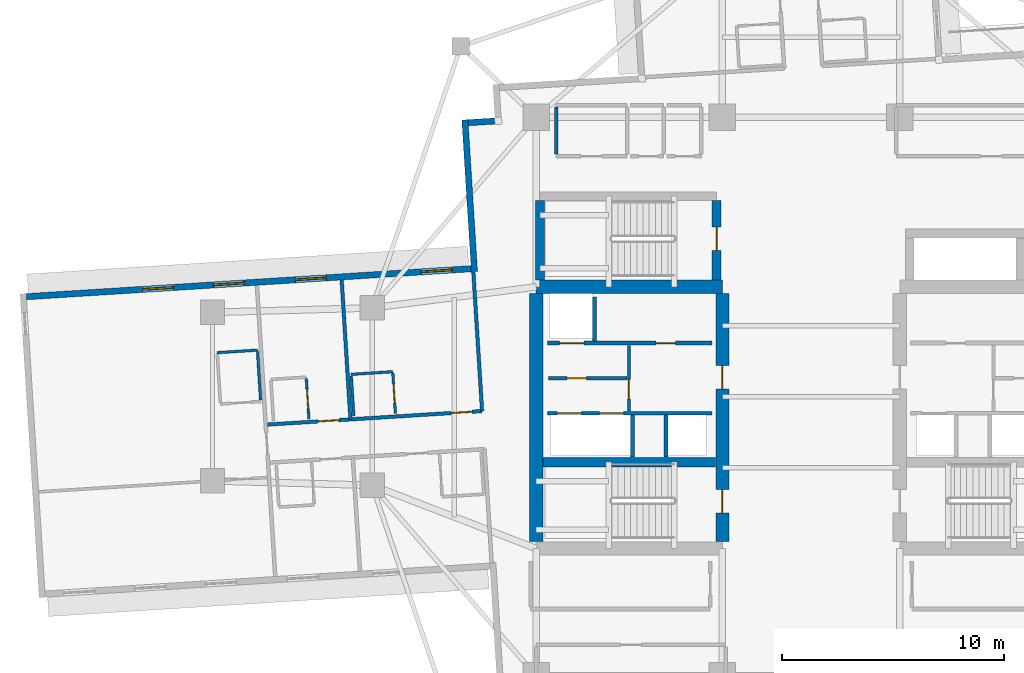
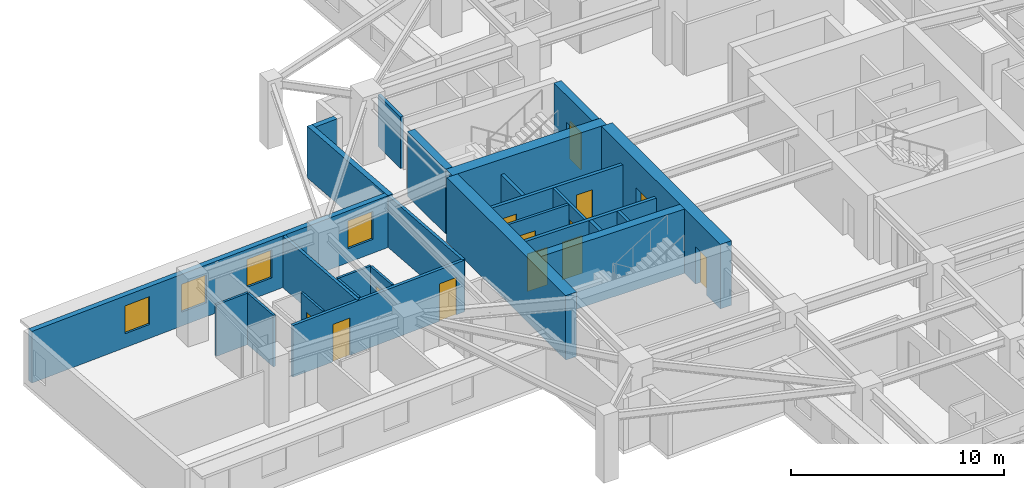
# One storey, part 5 of 14: 26 walls, 13 doors, 4 windows, 17 openings.
"""IFC4 building model written with IfcOpenShell, lengths in metres."""

from ifc_helpers import new_model, si_unit, direction, frame, frame_2d, origin, place, context, subcontext, project, spatial, rectangle, extrude, material, layer, layer_set, type_object, element, fill, save


model = new_model("IFC4")

# Units and contexts
model_context = context("Model", 3, precision=1e-05, world=origin(), true_north=direction((0.0, 1.0)))
body_context = subcontext(model_context, "Body", "Model", "MODEL_VIEW")
ifc_project = project(units=[si_unit("LENGTHUNIT", "METRE"), si_unit("AREAUNIT", "SQUARE_METRE"), si_unit("VOLUMEUNIT", "CUBIC_METRE"), si_unit("PLANEANGLEUNIT", "RADIAN"), si_unit("MASSUNIT", "GRAM", prefix="KILO")], contexts=[model_context])

# Site, building, storey
site_placement = place(None, origin())
site = spatial("IfcSite", under=ifc_project, at=site_placement, CompositionType="ELEMENT")
building_placement = place(site_placement, origin())
building = spatial("IfcBuilding", under=site, at=building_placement, Name="Qingluan Cross Belvedere", CompositionType="ELEMENT")
storey_placement = place(building_placement, frame((0.0, 0.0, 128.10009765625)))
storey = spatial("IfcBuildingStorey", under=building, at=storey_placement, Name="L32", CompositionType="ELEMENT", Elevation=128.10009765625)

# Walls
ifc_material_1 = material(Name="Concrete C50", Category="concrete")
ifc_layer_1 = layer(ifc_material_1, 0.449951171875, Name="CoreShearWall_450")
ifc_layer_set_1 = layer_set([ifc_layer_1], Name="Concrete C50")
wall_type_1 = type_object("IfcWallType", Name="CoreShearWall_450", PredefinedType="SHEAR", material=ifc_layer_set_1)
wall_1_placement = place(storey_placement, frame((-12.094970703125, -2.9599609375, 0.0), z_axis=(0.0, 0.0, 1.0), x_axis=(1.0, 0.0, 0.0)))
element("IfcWall", 1, at=wall_1_placement, inside=storey, type_object=wall_type_1, Name="Split core W shear wall L32-M", PredefinedType="SHEAR", context=body_context, shape_type="SweptSolid", body=[
    extrude(rectangle(XDim=7.7900390625, YDim=0.449951171875, at=frame_2d((3.89501953125, 0.0))), origin(), (0.0, 0.0, 1.0), 3.699951171875),
])
wall_2_placement = place(storey_placement, frame((-12.219970703125, 5.2548828125, 0.0), z_axis=(0.0, 0.0, 1.0), x_axis=(0.0, 1.0, 0.0)))
element("IfcWall", 2, at=wall_2_placement, inside=storey, type_object=wall_type_1, Name="Stair ST3 structural wall W L32", PredefinedType="SHEAR", context=body_context, shape_type="SweptSolid", body=[
    extrude(rectangle(XDim=3.580078125, YDim=0.39990234375, at=frame_2d((1.7900390625, 0.0))), origin(), (0.0, 0.0, 1.0), 3.699951171875),
])

# Wall, opening, door
wall_3_placement = place(storey_placement, frame((-4.260009765625, 5.2548828125, 0.0), z_axis=(0.0, 0.0, 1.0), x_axis=(0.0, 1.0, 0.0)))
wall_3 = element("IfcWall", 3, at=wall_3_placement, inside=storey, type_object=wall_type_1, Name="Stair ST3 structural wall E L32", PredefinedType="SHEAR", context=body_context, shape_type="SweptSolid", body=[
    extrude(rectangle(XDim=3.580078125, YDim=0.39990234375, at=frame_2d((1.7900390625, 0.0))), origin(), (0.0, 0.0, 1.0), 3.699951171875),
])
opening_1_placement = place(wall_3_placement, frame((1.344970703125, 0.0, 0.0)))
opening_1 = element("IfcOpeningElement", 4, at=opening_1_placement, cuts=wall_3, Name="Opening FD-B11", PredefinedType="OPENING", context=body_context, shape_type="SweptSolid", body=[
    extrude(rectangle(XDim=1.050048828125, YDim=2.14990234375, at=frame_2d((0.52490234375, 1.074951171875))), frame((0.0, 0.2099609375, 0.0), z_axis=(0.0, -1.0, 0.0), x_axis=(1.0, 0.0, 0.0)), (0.0, 0.0, 1.0), 0.419921875),
])
ifc_material_2 = material(Name="Steel Class B smoke-seal fire door", Category="steel")
door_type_1 = type_object("IfcDoorType", Name="StairLobbyFireDoor_FDB", OperationType="NOTDEFINED", PredefinedType="DOOR", material=ifc_material_2)
door_1_placement = place(opening_1_placement, origin())
door_1 = element("IfcDoor", 5, at=door_1_placement, inside=storey, type_object=door_type_1, Name="Smoke-proof stair ST3 fire door L32", OperationType="SINGLE_SWING_RIGHT", OverallHeight=2.14990234375, OverallWidth=1.050048828125, PredefinedType="DOOR", context=body_context, shape_type="SweptSolid", body=[
    extrude(rectangle(XDim=1.050048828125, YDim=2.14990234375, at=frame_2d((0.52490234375, 1.074951171875))), frame((0.0, 0.02490234375, 0.0), z_axis=(0.0, -1.0, 0.0), x_axis=(1.0, 0.0, 0.0)), (0.0, 0.0, 1.0), 0.050048828125),
])
fill(opening_1, door_1)

# Walls
ifc_material_3 = material(Name="Concrete C60", Category="concrete")
ifc_layer_2 = layer(ifc_material_3, 0.60009765625, Name="CoreShearWall_600")
ifc_layer_set_2 = layer_set([ifc_layer_2], Name="Concrete C60")
wall_type_2 = type_object("IfcWallType", Name="CoreShearWall_600", PredefinedType="SHEAR", material=ifc_layer_set_2)
wall_4_placement = place(storey_placement, frame((-12.39990234375, 4.949951171875, 0.0), z_axis=(0.0, 0.0, 1.0), x_axis=(1.0, 0.0, 0.0)))
element("IfcWall", 6, at=wall_4_placement, inside=storey, type_object=wall_type_2, Name="Split core W shear wall L32-N", PredefinedType="SHEAR", context=body_context, shape_type="SweptSolid", body=[
    extrude(rectangle(XDim=8.39990234375, YDim=0.60009765625, at=frame_2d((4.199951171875, 0.0))), origin(), (0.0, 0.0, 1.0), 3.699951171875),
])
wall_5_placement = place(storey_placement, frame((-12.39990234375, -6.544921875, 0.0), z_axis=(0.0, 0.0, 1.0), x_axis=(0.0, 1.0, 0.0)))
element("IfcWall", 7, at=wall_5_placement, inside=storey, type_object=wall_type_2, Name="Split core W shear wall L32-W", PredefinedType="SHEAR", context=body_context, shape_type="SweptSolid", body=[
    extrude(rectangle(XDim=11.18994140625, YDim=0.60009765625, at=frame_2d((5.594970703125, 0.0))), origin(), (0.0, 0.0, 1.0), 3.699951171875),
])

# Wall, openings, doors
wall_6_placement = place(storey_placement, frame((-4.0, -6.544921875, 0.0), z_axis=(0.0, 0.0, 1.0), x_axis=(0.0, 1.0, 0.0)))
wall_6 = element("IfcWall", 8, at=wall_6_placement, inside=storey, type_object=wall_type_2, Name="Split core W shear wall L32-E", PredefinedType="SHEAR", context=body_context, shape_type="SweptSolid", body=[
    extrude(rectangle(XDim=11.18994140625, YDim=0.60009765625, at=frame_2d((5.594970703125, 0.0))), origin(), (0.0, 0.0, 1.0), 3.699951171875),
])
opening_2_placement = place(wall_6_placement, frame((1.294921875, 0.0, 0.0)))
opening_2 = element("IfcOpeningElement", 9, at=opening_2_placement, cuts=wall_6, Name="Opening FD-B11", PredefinedType="OPENING", context=body_context, shape_type="SweptSolid", body=[
    extrude(rectangle(XDim=1.050048828125, YDim=2.14990234375, at=frame_2d((0.52490234375, 1.074951171875))), frame((0.0, 0.31005859375, 0.0), z_axis=(0.0, -1.0, 0.0), x_axis=(1.0, 0.0, 0.0)), (0.0, 0.0, 1.0), 0.6201171875),
])
opening_3_placement = place(wall_6_placement, frame((6.89501953125, 0.0, 0.0)))
opening_3 = element("IfcOpeningElement", 10, at=opening_3_placement, cuts=wall_6, Name="Opening FD-B11", PredefinedType="OPENING", context=body_context, shape_type="SweptSolid", body=[
    extrude(rectangle(XDim=1.050048828125, YDim=2.14990234375, at=frame_2d((0.52490234375, 1.074951171875))), frame((0.0, 0.31005859375, 0.0), z_axis=(0.0, -1.0, 0.0), x_axis=(1.0, 0.0, 0.0)), (0.0, 0.0, 1.0), 0.6201171875),
])
door_2_placement = place(opening_2_placement, origin())
door_2 = element("IfcDoor", 11, at=door_2_placement, inside=storey, type_object=door_type_1, Name="Smoke-proof stair ST1 fire door L32", OperationType="SINGLE_SWING_RIGHT", OverallHeight=2.14990234375, OverallWidth=1.050048828125, PredefinedType="DOOR", context=body_context, shape_type="SweptSolid", body=[
    extrude(rectangle(XDim=1.050048828125, YDim=2.14990234375, at=frame_2d((0.52490234375, 1.074951171875))), frame((0.0, 0.02490234375, 0.0), z_axis=(0.0, -1.0, 0.0), x_axis=(1.0, 0.0, 0.0)), (0.0, 0.0, 1.0), 0.050048828125),
])
fill(opening_2, door_2)
door_3_placement = place(opening_3_placement, origin())
door_3 = element("IfcDoor", 12, at=door_3_placement, inside=storey, type_object=door_type_1, Name="Firefighting lobby West fire door L32", OperationType="SINGLE_SWING_RIGHT", OverallHeight=2.14990234375, OverallWidth=1.050048828125, PredefinedType="DOOR", context=body_context, shape_type="SweptSolid", body=[
    extrude(rectangle(XDim=1.050048828125, YDim=2.14990234375, at=frame_2d((0.52490234375, 1.074951171875))), frame((0.0, 0.02490234375, 0.0), z_axis=(0.0, -1.0, 0.0), x_axis=(1.0, 0.0, 0.0)), (0.0, 0.0, 1.0), 0.050048828125),
])
fill(opening_3, door_3)

# Wall, opening, door
ifc_material_4 = material(Name="Gypsum plasterboard on steel stud acoustic partition", Category="steel")
ifc_layer_3 = layer(ifc_material_4, 0.159912109375, Name="CorridorPartition_160")
ifc_layer_set_3 = layer_set([ifc_layer_3], Name="Gypsum plasterboard on steel stud acoustic partition")
wall_type_3 = type_object("IfcWallType", Name="CorridorPartition_160", PredefinedType="PARTITIONING", material=ifc_layer_set_3)
wall_7_placement = place(storey_placement, frame((-11.85009765625, 0.830078125, 0.0), z_axis=(0.0, 0.0, 1.0), x_axis=(1.0, 0.0, 0.0)))
wall_7 = element("IfcWall", 13, at=wall_7_placement, inside=storey, type_object=wall_type_3, Name="Partition L32:w", PredefinedType="PARTITIONING", context=body_context, shape_type="SweptSolid", body=[
    extrude(rectangle(XDim=3.552001953125, YDim=0.139892578125, at=frame_2d((1.77587890625, 0.0))), origin(), (0.0, 0.0, 1.0), 2.9599609375),
])
opening_4_placement = place(wall_7_placement, frame((0.85009765625, 0.0, 0.0)))
opening_4 = element("IfcOpeningElement", 14, at=opening_4_placement, cuts=wall_7, Name="Opening FD-B10", PredefinedType="OPENING", context=body_context, shape_type="SweptSolid", body=[
    extrude(rectangle(XDim=0.8798828125, YDim=2.10009765625, at=frame_2d((0.43994140625, 1.050048828125))), frame((0.0, 0.079833984375, 0.0), z_axis=(0.0, -1.0, 0.0), x_axis=(1.0, 0.0, 0.0)), (0.0, 0.0, 1.0), 0.159912109375),
])
ifc_material_5 = material(Name="Steel Class B service fire door", Category="steel")
door_type_2 = type_object("IfcDoorType", Name="RiserServiceFireDoor_FDB", OperationType="NOTDEFINED", PredefinedType="DOOR", material=ifc_material_5)
door_4_placement = place(opening_4_placement, origin())
door_4 = element("IfcDoor", 15, at=door_4_placement, inside=storey, type_object=door_type_2, Name="Service closet inner door L32", OperationType="SINGLE_SWING_LEFT", OverallHeight=2.10009765625, OverallWidth=0.8798828125, PredefinedType="DOOR", context=body_context, shape_type="SweptSolid", body=[
    extrude(rectangle(XDim=0.8798828125, YDim=2.10009765625, at=frame_2d((0.43994140625, 1.050048828125))), frame((0.0, 0.02490234375, 0.0), z_axis=(0.0, -1.0, 0.0), x_axis=(1.0, 0.0, 0.0)), (0.0, 0.0, 1.0), 0.050048828125),
])
fill(opening_4, door_4)

# Wall
wall_8_placement = place(storey_placement, frame((-11.5, 10.93505859375, 0.0), z_axis=(0.0, 0.0, 1.0), x_axis=(0.0, 1.0, 0.0)))
element("IfcWall", 16, at=wall_8_placement, inside=storey, type_object=wall_type_3, Name="Partition L32:q_nw_occ:W", PredefinedType="PARTITIONING", context=body_context, shape_type="SweptSolid", body=[
    extrude(rectangle(XDim=2.1298828125, YDim=0.159912109375, at=frame_2d((1.06494140625, 0.0))), origin(), (0.0, 0.0, 1.0), 2.9599609375),
])

# Wall, openings, doors
wall_9_placement = place(storey_placement, frame((-14.83837890625, -0.653076171875, 0.0), z_axis=(0.0, 0.0, 1.0), x_axis=(-0.9980262432, -0.062798231534, 0.0)))
wall_9 = element("IfcWall", 17, at=wall_9_placement, inside=storey, type_object=wall_type_3, Name="Partition L32:W:c0", PredefinedType="PARTITIONING", context=body_context, shape_type="SweptSolid", body=[
    extrude(rectangle(XDim=9.69970703125, YDim=0.159912109375, at=frame_2d((4.849853515625, 0.0))), origin(), (0.0, 0.0, 1.0), 2.9599609375),
])
opening_5_placement = place(wall_9_placement, frame((0.449951171875, 0.0, 0.0)))
opening_5 = element("IfcOpeningElement", 18, at=opening_5_placement, cuts=wall_9, Name="Opening GD-10", PredefinedType="OPENING", context=body_context, shape_type="SweptSolid", body=[
    extrude(rectangle(XDim=0.9599609375, YDim=2.14990234375, at=frame_2d((0.47998046875, 1.074951171875))), frame((0.0, 0.08984375, 0.0), z_axis=(0.0, -1.0, 0.0), x_axis=(1.0, 0.0, 0.0)), (0.0, 0.0, 1.0), 0.179931640625),
])
opening_6_placement = place(wall_9_placement, frame((6.467041015625, 0.0, 0.0)))
opening_6 = element("IfcOpeningElement", 19, at=opening_6_placement, cuts=wall_9, Name="Opening GD-10", PredefinedType="OPENING", context=body_context, shape_type="SweptSolid", body=[
    extrude(rectangle(XDim=0.9599609375, YDim=2.14990234375, at=frame_2d((0.47998046875, 1.074951171875))), frame((0.0, 0.08984375, 0.0), z_axis=(0.0, -1.0, 0.0), x_axis=(1.0, 0.0, 0.0)), (0.0, 0.0, 1.0), 0.179931640625),
])
ifc_material_6 = material(Name="Timber oak fire-rated acoustic guestroom door", Category="wood")
door_type_3 = type_object("IfcDoorType", Name="GuestEntryDoor_FD60", OperationType="NOTDEFINED", PredefinedType="DOOR", material=ifc_material_6)
door_5_placement = place(opening_5_placement, origin())
door_5 = element("IfcDoor", 20, at=door_5_placement, inside=storey, type_object=door_type_3, Name="Guest entry fire door 3207", OperationType="SINGLE_SWING_RIGHT", OverallHeight=2.14990234375, OverallWidth=0.9599609375, PredefinedType="DOOR", context=body_context, shape_type="SweptSolid", body=[
    extrude(rectangle(XDim=0.9599609375, YDim=2.14990234375, at=frame_2d((0.47998046875, 1.074951171875))), frame((0.0, 0.02490234375, 0.0), z_axis=(0.0, -1.0, 0.0), x_axis=(1.0, 0.0, 0.0)), (0.0, 0.0, 1.0), 0.050048828125),
])
fill(opening_5, door_5)
door_6_placement = place(opening_6_placement, origin())
door_6 = element("IfcDoor", 21, at=door_6_placement, inside=storey, type_object=door_type_3, Name="Guest entry fire door 3208", OperationType="SINGLE_SWING_RIGHT", OverallHeight=2.14990234375, OverallWidth=0.9599609375, PredefinedType="DOOR", context=body_context, shape_type="SweptSolid", body=[
    extrude(rectangle(XDim=0.9599609375, YDim=2.14990234375, at=frame_2d((0.47998046875, 1.074951171875))), frame((0.0, 0.02490234375, 0.0), z_axis=(0.0, -1.0, 0.0), x_axis=(1.0, 0.0, 0.0)), (0.0, 0.0, 1.0), 0.050048828125),
])
fill(opening_6, door_6)

# Walls
wall_10_placement = place(storey_placement, frame((-14.83837890625, -0.653076171875, 0.0), z_axis=(0.0, 0.0, 1.0), x_axis=(-0.062779270337, 0.998027436104, 0.0)))
element("IfcWall", 22, at=wall_10_placement, inside=storey, type_object=wall_type_3, Name="Partition L32:W:s0", PredefinedType="PARTITIONING", context=body_context, shape_type="SweptSolid", body=[
    extrude(rectangle(XDim=6.292236328125, YDim=0.159912109375, at=frame_2d((3.14599609375, 0.0))), origin(), (0.0, 0.0, 1.0), 2.9599609375),
])
wall_11_placement = place(storey_placement, frame((-20.776611328125, -1.026611328125, 0.0), z_axis=(0.0, 0.0, 1.0), x_axis=(-0.062781701496, 0.998027283173, 0.0)))
element("IfcWall", 23, at=wall_11_placement, inside=storey, type_object=wall_type_3, Name="Partition L32:W:d0_0", PredefinedType="PARTITIONING", context=body_context, shape_type="SweptSolid", body=[
    extrude(rectangle(XDim=6.2919921875, YDim=0.159912109375, at=frame_2d((3.14599609375, 0.0))), origin(), (0.0, 0.0, 1.0), 2.9599609375),
])

# Wall, opening, door
ifc_material_7 = material(Name="Moisture-resistant gypsum board lining")
ifc_layer_4 = layer(ifc_material_7, 0.1201171875, Name="EnsuiteWetPartition_120")
ifc_layer_set_4 = layer_set([ifc_layer_4], Name="Moisture-resistant gypsum board lining")
wall_type_4 = type_object("IfcWallType", Name="EnsuiteWetPartition_120", PredefinedType="PARTITIONING", material=ifc_layer_set_4)
wall_12_placement = place(storey_placement, frame((-18.74951171875, -0.7587890625, 0.0), z_axis=(0.0, 0.0, 1.0), x_axis=(-0.062645529196, 0.998035839873, 0.0)))
wall_12 = element("IfcWall", 24, at=wall_12_placement, inside=storey, type_object=wall_type_4, Name="Partition L32:W:bs0_0", PredefinedType="PARTITIONING", context=body_context, shape_type="SweptSolid", body=[
    extrude(rectangle(XDim=1.820068359375, YDim=0.1201171875, at=frame_2d((0.91015625, 0.0))), origin(), (0.0, 0.0, 1.0), 2.9599609375),
])
opening_7_placement = place(wall_12_placement, frame((0.469970703125, 0.0, 0.0)))
opening_7 = element("IfcOpeningElement", 25, at=opening_7_placement, cuts=wall_12, Name="Opening BD-09", PredefinedType="OPENING", context=body_context, shape_type="SweptSolid", body=[
    extrude(rectangle(XDim=0.8798828125, YDim=2.10009765625, at=frame_2d((0.43994140625, 1.050048828125))), frame((0.0, 0.070068359375, 0.0), z_axis=(0.0, -1.0, 0.0), x_axis=(1.0, 0.0, 0.0)), (0.0, 0.0, 1.0), 0.14013671875),
])
ifc_material_8 = material(Name="Moisture-sealed timber en-suite door", Category="wood")
door_type_4 = type_object("IfcDoorType", Name="BathroomDoor_880", OperationType="NOTDEFINED", PredefinedType="DOOR", material=ifc_material_8)
door_7_placement = place(opening_7_placement, origin())
door_7 = element("IfcDoor", 26, at=door_7_placement, inside=storey, type_object=door_type_4, Name="Bathroom door 3207", OperationType="SINGLE_SWING_LEFT", OverallHeight=2.10009765625, OverallWidth=0.8798828125, PredefinedType="DOOR", context=body_context, shape_type="SweptSolid", body=[
    extrude(rectangle(XDim=0.8798828125, YDim=2.10009765625, at=frame_2d((0.43994140625, 1.050048828125))), frame((0.0, 0.02490234375, 0.0), z_axis=(0.0, -1.0, 0.0), x_axis=(1.0, 0.0, 0.0)), (0.0, 0.0, 1.0), 0.050048828125),
])
fill(opening_7, door_7)

# Walls
wall_13_placement = place(storey_placement, frame((-20.62548828125, -0.876708984375, 0.0), z_axis=(0.0, 0.0, 1.0), x_axis=(-0.062912758763, 0.998019030272, 0.0)))
element("IfcWall", 27, at=wall_13_placement, inside=storey, type_object=wall_type_4, Name="Partition L32:W:bw0_0", PredefinedType="PARTITIONING", context=body_context, shape_type="SweptSolid", body=[
    extrude(rectangle(XDim=1.820068359375, YDim=0.1201171875, at=frame_2d((0.91015625, 0.0))), origin(), (0.0, 0.0, 1.0), 2.9599609375),
])
wall_14_placement = place(storey_placement, frame((-18.86767578125, 1.12255859375, 0.0), z_axis=(0.0, 0.0, 1.0), x_axis=(-0.998022650819, -0.062855297722, 0.0)))
element("IfcWall", 28, at=wall_14_placement, inside=storey, type_object=wall_type_4, Name="Partition L32:W:bn0_0", PredefinedType="PARTITIONING", context=body_context, shape_type="SweptSolid", body=[
    extrude(rectangle(XDim=1.8798828125, YDim=0.1201171875, at=frame_2d((0.93994140625, 0.0))), origin(), (0.0, 0.0, 1.0), 2.9599609375),
])

# Wall, opening, door
wall_15_placement = place(storey_placement, frame((-22.651611328125, -1.00439453125, 0.0), z_axis=(0.0, 0.0, 1.0), x_axis=(-0.062779145668, 0.998027443946, 0.0)))
wall_15 = element("IfcWall", 29, at=wall_15_placement, inside=storey, type_object=wall_type_4, Name="Partition L32:W:bs0_1", PredefinedType="PARTITIONING", context=body_context, shape_type="SweptSolid", body=[
    extrude(rectangle(XDim=1.820068359375, YDim=0.1201171875, at=frame_2d((0.91015625, 0.0))), origin(), (0.0, 0.0, 1.0), 2.9599609375),
])
opening_8_placement = place(wall_15_placement, frame((0.469970703125, 0.0, 0.0)))
opening_8 = element("IfcOpeningElement", 30, at=opening_8_placement, cuts=wall_15, Name="Opening BD-09", PredefinedType="OPENING", context=body_context, shape_type="SweptSolid", body=[
    extrude(rectangle(XDim=0.8798828125, YDim=2.10009765625, at=frame_2d((0.43994140625, 1.050048828125))), frame((0.0, 0.070068359375, 0.0), z_axis=(0.0, -1.0, 0.0), x_axis=(1.0, 0.0, 0.0)), (0.0, 0.0, 1.0), 0.14013671875),
])
door_8_placement = place(opening_8_placement, origin())
door_8 = element("IfcDoor", 31, at=door_8_placement, inside=storey, type_object=door_type_4, Name="Bathroom door 3208", OperationType="SINGLE_SWING_LEFT", OverallHeight=2.10009765625, OverallWidth=0.8798828125, PredefinedType="DOOR", context=body_context, shape_type="SweptSolid", body=[
    extrude(rectangle(XDim=0.8798828125, YDim=2.10009765625, at=frame_2d((0.43994140625, 1.050048828125))), frame((0.0, 0.02490234375, 0.0), z_axis=(0.0, -1.0, 0.0), x_axis=(1.0, 0.0, 0.0)), (0.0, 0.0, 1.0), 0.050048828125),
])
fill(opening_8, door_8)

# Walls
wall_16_placement = place(storey_placement, frame((-24.82958984375, -0.1494140625, 0.0), z_axis=(0.0, 0.0, 1.0), x_axis=(-0.062824483344, 0.998024591026, 0.0)))
element("IfcWall", 32, at=wall_16_placement, inside=storey, type_object=wall_type_4, Name="Partition L32:Wcap:b2a", PredefinedType="PARTITIONING", context=body_context, shape_type="SweptSolid", body=[
    extrude(rectangle(XDim=2.18017578125, YDim=0.1201171875, at=frame_2d((1.090087890625, 0.0))), origin(), (0.0, 0.0, 1.0), 2.9599609375),
])
wall_17_placement = place(storey_placement, frame((-24.970947265625, 2.09619140625, 0.0), z_axis=(0.0, 0.0, 1.0), x_axis=(-0.998027443946, -0.062779145668, 0.0)))
element("IfcWall", 33, at=wall_17_placement, inside=storey, type_object=wall_type_4, Name="Partition L32:Wcap:b2n", PredefinedType="PARTITIONING", context=body_context, shape_type="SweptSolid", body=[
    extrude(rectangle(XDim=1.820068359375, YDim=0.1201171875, at=frame_2d((0.91015625, 0.0))), origin(), (0.0, 0.0, 1.0), 2.9599609375),
])

# Wall, openings, windows
ifc_material_9 = material(Name="Precast concrete C45", Category="concrete")
ifc_layer_5 = layer(ifc_material_9, 0.280029296875, Name="PrecastFacadeWall_280")
ifc_layer_set_5 = layer_set([ifc_layer_5], Name="Precast concrete C45")
wall_type_5 = type_object("IfcWallType", Name="PrecastFacadeWall_280", PredefinedType="STANDARD", material=ifc_layer_set_5)
wall_18_placement = place(storey_placement, frame((-15.33251953125, 5.7685546875, 0.0), z_axis=(0.0, 0.0, 1.0), x_axis=(-0.998027116198, -0.062784355807, 0.0)))
wall_18 = element("IfcWall", 34, at=wall_18_placement, inside=storey, type_object=wall_type_5, Name="Facade wall L32-WA", PredefinedType="STANDARD", context=body_context, shape_type="SweptSolid", body=[
    extrude(rectangle(XDim=20.099853515625, YDim=0.280029296875, at=frame_2d((10.0498046875, 0.0))), origin(), (0.0, 0.0, 1.0), 2.969970703125),
])
opening_9_placement = place(wall_18_placement, frame((0.85009765625, 0.0, 0.800048828125)))
opening_9 = element("IfcOpeningElement", 35, at=opening_9_placement, cuts=wall_18, Name="Opening W-01", PredefinedType="OPENING", context=body_context, shape_type="SweptSolid", body=[
    extrude(rectangle(XDim=1.39990234375, YDim=1.60009765625, at=frame_2d((0.699951171875, 0.800048828125))), frame((0.0, 0.14990234375, 0.0), z_axis=(0.0, -1.0, 0.0), x_axis=(1.0, 0.0, 0.0)), (0.0, 0.0, 1.0), 0.300048828125),
])
opening_10_placement = place(wall_18_placement, frame((6.550048828125, 0.0, 0.800048828125)))
opening_10 = element("IfcOpeningElement", 36, at=opening_10_placement, cuts=wall_18, Name="Opening W-01", PredefinedType="OPENING", context=body_context, shape_type="SweptSolid", body=[
    extrude(rectangle(XDim=1.39990234375, YDim=1.60009765625, at=frame_2d((0.699951171875, 0.800048828125))), frame((0.0, 0.14990234375, 0.0), z_axis=(0.0, -1.0, 0.0), x_axis=(1.0, 0.0, 0.0)), (0.0, 0.0, 1.0), 0.300048828125),
])
opening_11_placement = place(wall_18_placement, frame((10.25, 0.0, 0.800048828125)))
opening_11 = element("IfcOpeningElement", 37, at=opening_11_placement, cuts=wall_18, Name="Opening W-01", PredefinedType="OPENING", context=body_context, shape_type="SweptSolid", body=[
    extrude(rectangle(XDim=1.39990234375, YDim=1.60009765625, at=frame_2d((0.699951171875, 0.800048828125))), frame((0.0, 0.14990234375, 0.0), z_axis=(0.0, -1.0, 0.0), x_axis=(1.0, 0.0, 0.0)), (0.0, 0.0, 1.0), 0.300048828125),
])
opening_12_placement = place(wall_18_placement, frame((13.449951171875, 0.0, 0.800048828125)))
opening_12 = element("IfcOpeningElement", 38, at=opening_12_placement, cuts=wall_18, Name="Opening W-01", PredefinedType="OPENING", context=body_context, shape_type="SweptSolid", body=[
    extrude(rectangle(XDim=1.39990234375, YDim=1.60009765625, at=frame_2d((0.699951171875, 0.800048828125))), frame((0.0, 0.14990234375, 0.0), z_axis=(0.0, -1.0, 0.0), x_axis=(1.0, 0.0, 0.0)), (0.0, 0.0, 1.0), 0.300048828125),
])
ifc_material_10 = material(Name="Thermally broken triple Low-E glass in aluminium frame", Category="aluminium")
window_type = type_object("IfcWindowType", Name="TriRibbonWin_1400x1600", PartitioningType="SINGLE_PANEL", PredefinedType="WINDOW", material=ifc_material_10)
window_1_placement = place(opening_9_placement, origin())
window_1 = element("IfcWindow", 39, at=window_1_placement, inside=storey, type_object=window_type, Name="Ribbon window L32-WA-1", OverallHeight=1.60009765625, OverallWidth=1.39990234375, PartitioningType="SINGLE_PANEL", PredefinedType="WINDOW", context=body_context, shape_type="SweptSolid", body=[
    extrude(rectangle(XDim=1.39990234375, YDim=1.60009765625, at=frame_2d((0.699951171875, 0.800048828125))), frame((0.0, 0.030029296875, 0.0), z_axis=(0.0, -1.0, 0.0), x_axis=(1.0, 0.0, 0.0)), (0.0, 0.0, 1.0), 0.06005859375),
])
fill(opening_9, window_1)
window_2_placement = place(opening_10_placement, origin())
window_2 = element("IfcWindow", 40, at=window_2_placement, inside=storey, type_object=window_type, Name="Ribbon window L32-WA-2", OverallHeight=1.60009765625, OverallWidth=1.39990234375, PartitioningType="SINGLE_PANEL", PredefinedType="WINDOW", context=body_context, shape_type="SweptSolid", body=[
    extrude(rectangle(XDim=1.39990234375, YDim=1.60009765625, at=frame_2d((0.699951171875, 0.800048828125))), frame((0.0, 0.030029296875, 0.0), z_axis=(0.0, -1.0, 0.0), x_axis=(1.0, 0.0, 0.0)), (0.0, 0.0, 1.0), 0.06005859375),
])
fill(opening_10, window_2)
window_3_placement = place(opening_11_placement, origin())
window_3 = element("IfcWindow", 41, at=window_3_placement, inside=storey, type_object=window_type, Name="Ribbon window L32-WA-3", OverallHeight=1.60009765625, OverallWidth=1.39990234375, PartitioningType="SINGLE_PANEL", PredefinedType="WINDOW", context=body_context, shape_type="SweptSolid", body=[
    extrude(rectangle(XDim=1.39990234375, YDim=1.60009765625, at=frame_2d((0.699951171875, 0.800048828125))), frame((0.0, 0.030029296875, 0.0), z_axis=(0.0, -1.0, 0.0), x_axis=(1.0, 0.0, 0.0)), (0.0, 0.0, 1.0), 0.06005859375),
])
fill(opening_11, window_3)
window_4_placement = place(opening_12_placement, origin())
window_4 = element("IfcWindow", 42, at=window_4_placement, inside=storey, type_object=window_type, Name="Ribbon window L32-WA-4", OverallHeight=1.60009765625, OverallWidth=1.39990234375, PartitioningType="SINGLE_PANEL", PredefinedType="WINDOW", context=body_context, shape_type="SweptSolid", body=[
    extrude(rectangle(XDim=1.39990234375, YDim=1.60009765625, at=frame_2d((0.699951171875, 0.800048828125))), frame((0.0, 0.030029296875, 0.0), z_axis=(0.0, -1.0, 0.0), x_axis=(1.0, 0.0, 0.0)), (0.0, 0.0, 1.0), 0.06005859375),
])
fill(opening_12, window_4)

# Walls
wall_19_placement = place(storey_placement, frame((-15.18408203125, 5.6376953125, 0.0), z_axis=(0.0, 0.0, 1.0), x_axis=(-0.062779317195, 0.998027433156, 0.0)))
element("IfcWall", 43, at=wall_19_placement, inside=storey, type_object=wall_type_5, Name="Corner wall L32-NW1", PredefinedType="STANDARD", context=body_context, shape_type="SweptSolid", body=[
    extrude(rectangle(XDim=6.85986328125, YDim=0.280029296875, at=frame_2d((3.429931640625, 0.0))), origin(), (0.0, 0.0, 1.0), 2.969970703125),
])
wall_20_placement = place(storey_placement, frame((-15.46630859375, 12.353271484375, 0.0), z_axis=(0.0, 0.0, 1.0), x_axis=(0.998024450254, 0.062826719603, 0.0)))
element("IfcWall", 44, at=wall_20_placement, inside=storey, type_object=wall_type_5, Name="Corner wall L32-NW2", PredefinedType="STANDARD", context=body_context, shape_type="SweptSolid", body=[
    extrude(rectangle(XDim=1.22021484375, YDim=0.280029296875, at=frame_2d((0.610107421875, 0.0))), origin(), (0.0, 0.0, 1.0), 2.969970703125),
])

# Wall, openings, doors
ifc_material_11 = material(Name="Concrete C40", Category="concrete")
ifc_layer_6 = layer(ifc_material_11, 0.219970703125, Name="ShaftEnclosureWall_250")
ifc_layer_set_6 = layer_set([ifc_layer_6], Name="Concrete C40")
wall_type_6 = type_object("IfcWallType", Name="ShaftEnclosureWall_250", PredefinedType="SOLIDWALL", material=ifc_layer_set_6)
wall_21_placement = place(storey_placement, frame((-11.89990234375, 2.409912109375, 0.0), z_axis=(0.0, 0.0, 1.0), x_axis=(1.0, 0.0, 0.0)))
wall_21 = element("IfcWall", 45, at=wall_21_placement, inside=storey, type_object=wall_type_6, Name="Core-W north hoistway wall L32", PredefinedType="SOLIDWALL", context=body_context, shape_type="SweptSolid", body=[
    extrude(rectangle(XDim=7.419921875, YDim=0.179931640625, at=frame_2d((3.7099609375, 0.0))), origin(), (0.0, 0.0, 1.0), 2.9599609375),
])
opening_13_placement = place(wall_21_placement, frame((0.550048828125, 0.0, 0.0)))
opening_13 = element("IfcOpeningElement", 46, at=opening_13_placement, cuts=wall_21, Name="Opening LD-11", PredefinedType="OPENING", context=body_context, shape_type="SweptSolid", body=[
    extrude(rectangle(XDim=1.10009765625, YDim=2.14990234375, at=frame_2d((0.550048828125, 1.074951171875))), frame((0.0, 0.099853515625, 0.0), z_axis=(0.0, -1.0, 0.0), x_axis=(1.0, 0.0, 0.0)), (0.0, 0.0, 1.0), 0.199951171875),
])
opening_14_placement = place(wall_21_placement, frame((4.89990234375, 0.0, 0.0)))
opening_14 = element("IfcOpeningElement", 47, at=opening_14_placement, cuts=wall_21, Name="Opening FD-B10", PredefinedType="OPENING", context=body_context, shape_type="SweptSolid", body=[
    extrude(rectangle(XDim=0.8798828125, YDim=2.10009765625, at=frame_2d((0.43994140625, 1.050048828125))), frame((0.0, 0.099853515625, 0.0), z_axis=(0.0, -1.0, 0.0), x_axis=(1.0, 0.0, 0.0)), (0.0, 0.0, 1.0), 0.199951171875),
])
ifc_material_12 = material(Name="Brushed stainless steel centre-opening lift landing door", Category="steel")
door_type_5 = type_object("IfcDoorType", Name="LiftLandingSlidingDoor_1100", OperationType="DOUBLE_DOOR_SLIDING", PredefinedType="DOOR", material=ifc_material_12)
door_9_placement = place(opening_13_placement, origin())
door_9 = element("IfcDoor", 48, at=door_9_placement, inside=storey, type_object=door_type_5, Name="Lift landing sliding door FL1 L32", OperationType="DOUBLE_DOOR_SLIDING", OverallHeight=2.14990234375, OverallWidth=1.10009765625, PredefinedType="DOOR", context=body_context, shape_type="SweptSolid", body=[
    extrude(rectangle(XDim=1.10009765625, YDim=2.14990234375, at=frame_2d((0.550048828125, 1.074951171875))), frame((0.0, 0.02490234375, 0.0), z_axis=(0.0, -1.0, 0.0), x_axis=(1.0, 0.0, 0.0)), (0.0, 0.0, 1.0), 0.050048828125),
])
fill(opening_13, door_9)
door_10_placement = place(opening_14_placement, origin())
door_10 = element("IfcDoor", 49, at=door_10_placement, inside=storey, type_object=door_type_2, Name="Housekeeping supply room door W L32", OperationType="SINGLE_SWING_LEFT", OverallHeight=2.10009765625, OverallWidth=0.8798828125, PredefinedType="DOOR", context=body_context, shape_type="SweptSolid", body=[
    extrude(rectangle(XDim=0.8798828125, YDim=2.10009765625, at=frame_2d((0.43994140625, 1.050048828125))), frame((0.0, 0.02490234375, 0.0), z_axis=(0.0, -1.0, 0.0), x_axis=(1.0, 0.0, 0.0)), (0.0, 0.0, 1.0), 0.050048828125),
])
fill(opening_14, door_10)

wall_22_placement = place(storey_placement, frame((-11.89990234375, -0.75, 0.0), z_axis=(0.0, 0.0, 1.0), x_axis=(1.0, 0.0, 0.0)))
wall_22 = element("IfcWall", 50, at=wall_22_placement, inside=storey, type_object=wall_type_6, Name="Core-W mid hoistway wall L32", PredefinedType="SOLIDWALL", context=body_context, shape_type="SweptSolid", body=[
    extrude(rectangle(XDim=7.419921875, YDim=0.179931640625, at=frame_2d((3.7099609375, 0.0))), origin(), (0.0, 0.0, 1.0), 2.9599609375),
])
opening_15_placement = place(wall_22_placement, frame((0.449951171875, 0.0, 0.0)))
opening_15 = element("IfcOpeningElement", 51, at=opening_15_placement, cuts=wall_22, Name="Opening LD-11", PredefinedType="OPENING", context=body_context, shape_type="SweptSolid", body=[
    extrude(rectangle(XDim=1.10009765625, YDim=2.14990234375, at=frame_2d((0.550048828125, 1.074951171875))), frame((0.0, 0.099853515625, 0.0), z_axis=(0.0, -1.0, 0.0), x_axis=(1.0, 0.0, 0.0)), (0.0, 0.0, 1.0), 0.199951171875),
])
opening_16_placement = place(wall_22_placement, frame((2.35009765625, 0.0, 0.0)))
opening_16 = element("IfcOpeningElement", 52, at=opening_16_placement, cuts=wall_22, Name="Opening LD-11", PredefinedType="OPENING", context=body_context, shape_type="SweptSolid", body=[
    extrude(rectangle(XDim=1.10009765625, YDim=2.14990234375, at=frame_2d((0.550048828125, 1.074951171875))), frame((0.0, 0.099853515625, 0.0), z_axis=(0.0, -1.0, 0.0), x_axis=(1.0, 0.0, 0.0)), (0.0, 0.0, 1.0), 0.199951171875),
])
door_11_placement = place(opening_15_placement, origin())
door_11 = element("IfcDoor", 53, at=door_11_placement, inside=storey, type_object=door_type_5, Name="Lift landing sliding door LP5 L32", OperationType="DOUBLE_DOOR_SLIDING", OverallHeight=2.14990234375, OverallWidth=1.10009765625, PredefinedType="DOOR", context=body_context, shape_type="SweptSolid", body=[
    extrude(rectangle(XDim=1.10009765625, YDim=2.14990234375, at=frame_2d((0.550048828125, 1.074951171875))), frame((0.0, 0.02490234375, 0.0), z_axis=(0.0, -1.0, 0.0), x_axis=(1.0, 0.0, 0.0)), (0.0, 0.0, 1.0), 0.050048828125),
])
fill(opening_15, door_11)
door_12_placement = place(opening_16_placement, origin())
door_12 = element("IfcDoor", 54, at=door_12_placement, inside=storey, type_object=door_type_5, Name="Lift landing sliding door LP6 L32", OperationType="DOUBLE_DOOR_SLIDING", OverallHeight=2.14990234375, OverallWidth=1.10009765625, PredefinedType="DOOR", context=body_context, shape_type="SweptSolid", body=[
    extrude(rectangle(XDim=1.10009765625, YDim=2.14990234375, at=frame_2d((0.550048828125, 1.074951171875))), frame((0.0, 0.02490234375, 0.0), z_axis=(0.0, -1.0, 0.0), x_axis=(1.0, 0.0, 0.0)), (0.0, 0.0, 1.0), 0.050048828125),
])
fill(opening_16, door_12)

# Walls
wall_23_placement = place(storey_placement, frame((-9.760009765625, 2.5, 0.0), z_axis=(0.0, 0.0, 1.0), x_axis=(0.0, 1.0, 0.0)))
element("IfcWall", 55, at=wall_23_placement, inside=storey, type_object=wall_type_6, Name="Hoistway enclosure divider FL1E L32", PredefinedType="SOLIDWALL", context=body_context, shape_type="SweptSolid", body=[
    extrude(rectangle(XDim=1.989990234375, YDim=0.179931640625, at=frame_2d((0.9951171875, 0.0))), origin(), (0.0, 0.0, 1.0), 2.9599609375),
])
for number, where, z_axis, x_axis, name in (
    (56, (-8.06005859375, -2.72998046875, 0.0), (0.0, 0.0, 1.0), (0.0, 1.0, 0.0), "Hoistway enclosure divider LP6E L32"),
    (57, (-6.5400390625, -2.72998046875, 0.0), (0.0, 0.0, 1.0), (0.0, 1.0, 0.0), "Hoistway enclosure divider LP8W L32"),
):
    element("IfcWall", number, at=place(storey_placement, frame(where, z_axis=z_axis, x_axis=x_axis)), inside=storey, type_object=wall_type_6, Name=name, PredefinedType="SOLIDWALL", context=body_context, shape_type="SweptSolid", body=[
        extrude(rectangle(XDim=1.889892578125, YDim=0.179931640625, at=frame_2d((0.94482421875, 0.0))), origin(), (0.0, 0.0, 1.0), 2.9599609375),
    ])

# Wall, opening, door
wall_24_placement = place(storey_placement, frame((-8.219970703125, -0.64990234375, 0.0), z_axis=(0.0, 0.0, 1.0), x_axis=(0.0, 1.0, 0.0)))
wall_24 = element("IfcWall", 58, at=wall_24_placement, inside=storey, type_object=wall_type_6, Name="Core-W service corridor wall L32", PredefinedType="SOLIDWALL", context=body_context, shape_type="SweptSolid", body=[
    extrude(rectangle(XDim=2.9599609375, YDim=0.139892578125, at=frame_2d((1.47998046875, 0.0))), origin(), (0.0, 0.0, 1.0), 2.9599609375),
])
opening_17_placement = place(wall_24_placement, frame((0.550048828125, 0.0, 0.0)))
opening_17 = element("IfcOpeningElement", 59, at=opening_17_placement, cuts=wall_24, Name="Opening FD-B10", PredefinedType="OPENING", context=body_context, shape_type="SweptSolid", body=[
    extrude(rectangle(XDim=0.8798828125, YDim=2.10009765625, at=frame_2d((0.43994140625, 1.050048828125))), frame((0.0, 0.079833984375, 0.0), z_axis=(0.0, -1.0, 0.0), x_axis=(1.0, 0.0, 0.0)), (0.0, 0.0, 1.0), 0.159912109375),
])
door_13_placement = place(opening_17_placement, origin())
door_13 = element("IfcDoor", 60, at=door_13_placement, inside=storey, type_object=door_type_2, Name="Core-W service room door L32", OperationType="SINGLE_SWING_LEFT", OverallHeight=2.10009765625, OverallWidth=0.8798828125, PredefinedType="DOOR", context=body_context, shape_type="SweptSolid", body=[
    extrude(rectangle(XDim=0.8798828125, YDim=2.10009765625, at=frame_2d((0.43994140625, 1.050048828125))), frame((0.0, 0.02490234375, 0.0), z_axis=(0.0, -1.0, 0.0), x_axis=(1.0, 0.0, 0.0)), (0.0, 0.0, 1.0), 0.050048828125),
])
fill(opening_17, door_13)

save(model, "model.ifc")
